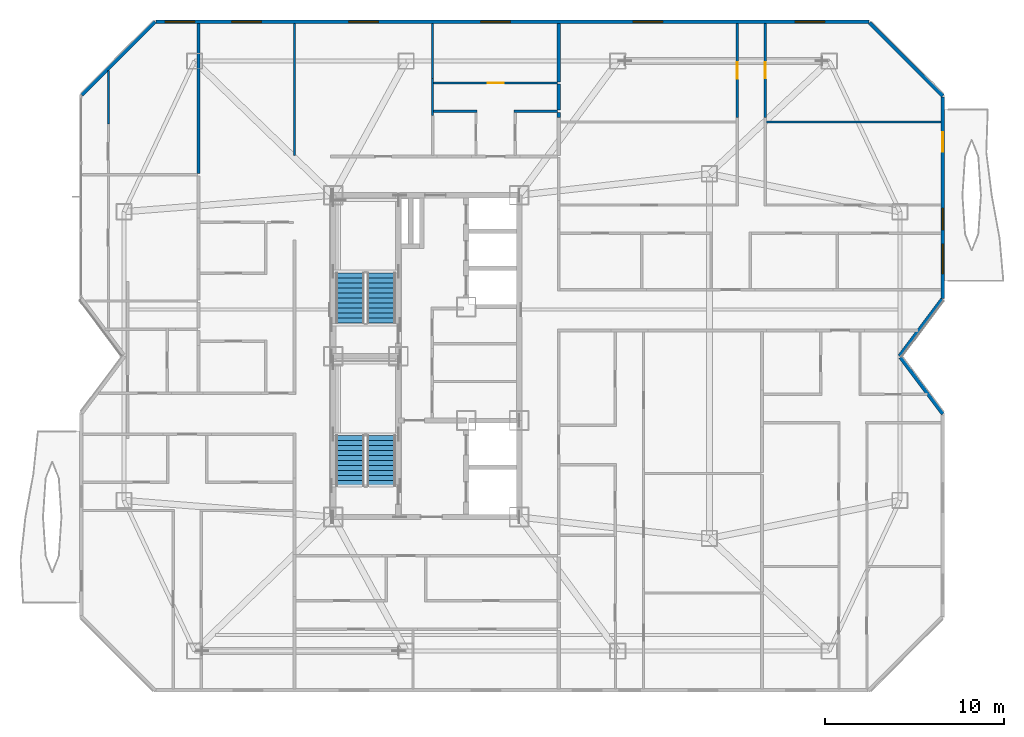
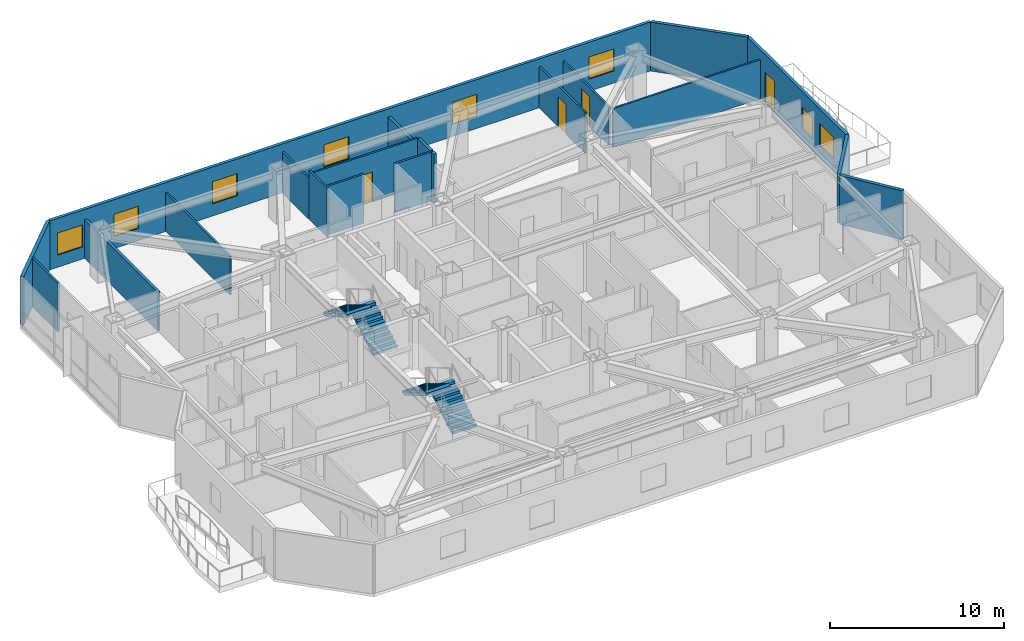
# One storey, part 16 of 18: 20 walls, 8 windows, 4 doors, 4 stair flights, 12 openings, 2 elements without a shape of their own.
"""IFC4 building model written with IfcOpenShell, lengths in metres."""

from ifc_helpers import new_model, si_unit, direction, frame, frame_2d, origin, place, context, subcontext, project, spatial, polyline, rectangle, outline, extrude, material, layer, layer_set, type_object, element, fill, aggregate, save


model = new_model("IFC4")

# Units and contexts
model_context = context("Model", 3, precision=1e-05, world=origin(), true_north=direction((0.0, 1.0)))
body_context = subcontext(model_context, "Body", "Model", "MODEL_VIEW")
ifc_project = project(units=[si_unit("LENGTHUNIT", "METRE"), si_unit("AREAUNIT", "SQUARE_METRE"), si_unit("VOLUMEUNIT", "CUBIC_METRE"), si_unit("PLANEANGLEUNIT", "RADIAN"), si_unit("MASSUNIT", "GRAM", prefix="KILO")], contexts=[model_context])

# Site, building, storey
site_placement = place(None, origin())
site = spatial("IfcSite", under=ifc_project, at=site_placement, CompositionType="ELEMENT")
building_placement = place(site_placement, origin())
building = spatial("IfcBuilding", under=site, at=building_placement, Name="Khamvora Tower", CompositionType="ELEMENT")
storey_placement = place(building_placement, frame((0.0, 0.0, 181.449951171875)))
storey = spatial("IfcBuildingStorey", under=building, at=storey_placement, Name="L46", CompositionType="ELEMENT", Elevation=181.449951171875)

# Walls
ifc_material_1 = material(Name="Acoustic Double-Stud Fire Wall", Category="gypsum")
ifc_layer_1 = layer(ifc_material_1, 0.179931640625)
ifc_layer_set_1 = layer_set([ifc_layer_1], Name="Acoustic Double-Stud Fire Wall")
wall_type_1 = type_object("IfcWallType", Name="WAL-CORR-180", PredefinedType="STANDARD", material=ifc_layer_set_1)
wall_1_placement = place(storey_placement, frame((21.47509765625, 46.60791015625, 0.0), z_axis=(0.0, 0.0, 1.0), x_axis=(0.0, -1.0, 0.0)))
element("IfcWall", 1, at=wall_1_placement, inside=storey, type_object=wall_type_1, Name="L46 interior partition wall 072", PredefinedType="STANDARD", context=body_context, shape_type="SweptSolid", body=[
    extrude(rectangle(XDim=8.39794921875, YDim=0.179931640625, at=frame_2d((4.198974609375, 0.0))), origin(), (0.0, 0.0, 1.0), 2.72509765625),
])
wall_2_placement = place(storey_placement, frame((41.614990234375, 43.2099609375, 0.0), z_axis=(0.0, 0.0, 1.0), x_axis=(0.0, -1.0, 0.0)))
element("IfcWall", 2, at=wall_2_placement, inside=storey, type_object=wall_type_1, Name="L46 interior partition wall 094", PredefinedType="STANDARD", context=body_context, shape_type="SweptSolid", body=[
    extrude(rectangle(XDim=1.449951171875, YDim=0.179931640625, at=frame_2d((0.72509765625, 0.0))), origin(), (0.0, 0.0, 1.0), 3.429931640625),
])
wall_3_placement = place(storey_placement, frame((41.614990234375, 41.6298828125, 0.0), z_axis=(0.0, 0.0, 1.0), x_axis=(0.0, -1.0, 0.0)))
element("IfcWall", 3, at=wall_3_placement, inside=storey, type_object=wall_type_1, Name="L46 interior partition wall 096", PredefinedType="STANDARD", context=body_context, shape_type="SweptSolid", body=[
    extrude(rectangle(XDim=0.282958984375, YDim=0.179931640625, at=frame_2d((0.1416015625, 0.0))), origin(), (0.0, 0.0, 1.0), 3.429931640625),
])
wall_4_placement = place(storey_placement, frame((41.614990234375, 46.60791015625, 0.0), z_axis=(0.0, 0.0, 1.0), x_axis=(0.0, -1.0, 0.0)))
element("IfcWall", 4, at=wall_4_placement, inside=storey, type_object=wall_type_1, Name="L46 interior partition wall 097", PredefinedType="STANDARD", context=body_context, shape_type="SweptSolid", body=[
    extrude(rectangle(XDim=3.267822265625, YDim=0.179931640625, at=frame_2d((1.6337890625, 0.0))), origin(), (0.0, 0.0, 1.0), 2.8759765625),
])
ifc_material_2 = material(Name="Precast concrete C40/50", Category="concrete")
ifc_layer_2 = layer(ifc_material_2, 0.199951171875)
ifc_layer_set_2 = layer_set([ifc_layer_2], Name="Precast concrete C40/50")
wall_type_2 = type_object("IfcWallType", Name="WAL-EXT-200", PredefinedType="STANDARD", material=ifc_layer_set_2)
wall_5_placement = place(storey_placement, frame((14.945068359375, 42.60400390625, 0.0), z_axis=(0.0, 0.0, 1.0), x_axis=(0.707106781187, 0.707106781187, 0.0)))
element("IfcWall", 5, at=wall_5_placement, inside=storey, type_object=wall_type_2, Name="L46 exterior facade wall 06.1", PredefinedType="STANDARD", context=body_context, shape_type="SweptSolid", body=[
    extrude(rectangle(XDim=5.79248046875, YDim=0.199951171875, at=frame_2d((2.896240234375, 0.0))), origin(), (0.0, 0.0, 1.0), 3.429931640625),
])

# Wall, openings, windows
wall_6_placement = place(storey_placement, frame((19.10205078125, 46.699951171875, 0.0), z_axis=(0.0, 0.0, 1.0), x_axis=(1.0, 0.0, 0.0)))
wall_6 = element("IfcWall", 6, at=wall_6_placement, inside=storey, type_object=wall_type_2, Name="L46 exterior facade wall 07.1", PredefinedType="STANDARD", context=body_context, shape_type="SweptSolid", body=[
    extrude(rectangle(XDim=39.85693359375, YDim=0.199951171875, at=frame_2d((19.928466796875, 0.0))), origin(), (0.0, 0.0, 1.0), 3.429931640625),
])
opening_1_placement = place(wall_6_placement, frame((10.77294921875, 0.0, 0.85009765625)))
opening_1 = element("IfcOpeningElement", 7, at=opening_1_placement, cuts=wall_6, Name="Opening WN-06", PredefinedType="OPENING", context=body_context, shape_type="SweptSolid", body=[
    extrude(rectangle(XDim=1.64990234375, YDim=1.550048828125, at=frame_2d((0.824951171875, 0.77490234375))), frame((0.0, 0.10986328125, 0.0), z_axis=(0.0, -1.0, 0.0), x_axis=(1.0, 0.0, 0.0)), (0.0, 0.0, 1.0), 0.219970703125),
])
opening_2_placement = place(wall_6_placement, frame((0.50390625, 0.0, 0.85009765625)))
opening_2 = element("IfcOpeningElement", 8, at=opening_2_placement, cuts=wall_6, Name="Opening WN-06", PredefinedType="OPENING", context=body_context, shape_type="SweptSolid", body=[
    extrude(rectangle(XDim=1.64990234375, YDim=1.550048828125, at=frame_2d((0.824951171875, 0.77490234375))), frame((0.0, 0.10986328125, 0.0), z_axis=(0.0, -1.0, 0.0), x_axis=(1.0, 0.0, 0.0)), (0.0, 0.0, 1.0), 0.219970703125),
])
opening_3_placement = place(wall_6_placement, frame((4.22802734375, 0.0, 0.85009765625)))
opening_3 = element("IfcOpeningElement", 9, at=opening_3_placement, cuts=wall_6, Name="Opening WN-06", PredefinedType="OPENING", context=body_context, shape_type="SweptSolid", body=[
    extrude(rectangle(XDim=1.64990234375, YDim=1.550048828125, at=frame_2d((0.824951171875, 0.77490234375))), frame((0.0, 0.10986328125, 0.0), z_axis=(0.0, -1.0, 0.0), x_axis=(1.0, 0.0, 0.0)), (0.0, 0.0, 1.0), 0.219970703125),
])
opening_4_placement = place(wall_6_placement, frame((18.1630859375, 0.0, 0.85009765625)))
opening_4 = element("IfcOpeningElement", 10, at=opening_4_placement, cuts=wall_6, Name="Opening WN-06", PredefinedType="OPENING", context=body_context, shape_type="SweptSolid", body=[
    extrude(rectangle(XDim=1.64990234375, YDim=1.550048828125, at=frame_2d((0.824951171875, 0.77490234375))), frame((0.0, 0.10986328125, 0.0), z_axis=(0.0, -1.0, 0.0), x_axis=(1.0, 0.0, 0.0)), (0.0, 0.0, 1.0), 0.219970703125),
])
opening_5_placement = place(wall_6_placement, frame((26.679931640625, 0.0, 0.85009765625)))
opening_5 = element("IfcOpeningElement", 11, at=opening_5_placement, cuts=wall_6, Name="Opening WN-06", PredefinedType="OPENING", context=body_context, shape_type="SweptSolid", body=[
    extrude(rectangle(XDim=1.64990234375, YDim=1.550048828125, at=frame_2d((0.824951171875, 0.77490234375))), frame((0.0, 0.10986328125, 0.0), z_axis=(0.0, -1.0, 0.0), x_axis=(1.0, 0.0, 0.0)), (0.0, 0.0, 1.0), 0.219970703125),
])
opening_6_placement = place(wall_6_placement, frame((35.7451171875, 0.0, 0.85009765625)))
opening_6 = element("IfcOpeningElement", 12, at=opening_6_placement, cuts=wall_6, Name="Opening WN-06", PredefinedType="OPENING", context=body_context, shape_type="SweptSolid", body=[
    extrude(rectangle(XDim=1.64990234375, YDim=1.550048828125, at=frame_2d((0.824951171875, 0.77490234375))), frame((0.0, 0.10986328125, 0.0), z_axis=(0.0, -1.0, 0.0), x_axis=(1.0, 0.0, 0.0)), (0.0, 0.0, 1.0), 0.219970703125),
])
ifc_material_3 = material(Name="Low-E Laminated Double Glazing", Category="glass")
window_type_1 = type_object("IfcWindowType", Name="WIN-VIS-1650x1550", PartitioningType="SINGLE_PANEL", PredefinedType="WINDOW", material=ifc_material_3)
window_1_placement = place(opening_1_placement, origin())
window_1 = element("IfcWindow", 13, at=window_1_placement, inside=storey, type_object=window_type_1, Name="L46 vision window 07.1.01", OverallHeight=1.550048828125, OverallWidth=1.64990234375, PartitioningType="SINGLE_PANEL", PredefinedType="WINDOW", context=body_context, shape_type="SweptSolid", body=[
    extrude(rectangle(XDim=1.64990234375, YDim=1.550048828125, at=frame_2d((0.824951171875, 0.77490234375))), frame((0.0, 0.030029296875, 0.0), z_axis=(0.0, -1.0, 0.0), x_axis=(1.0, 0.0, 0.0)), (0.0, 0.0, 1.0), 0.06005859375),
])
fill(opening_1, window_1)
window_2_placement = place(opening_2_placement, origin())
window_2 = element("IfcWindow", 14, at=window_2_placement, inside=storey, type_object=window_type_1, Name="L46 vision window 07.1.02", OverallHeight=1.550048828125, OverallWidth=1.64990234375, PartitioningType="SINGLE_PANEL", PredefinedType="WINDOW", context=body_context, shape_type="SweptSolid", body=[
    extrude(rectangle(XDim=1.64990234375, YDim=1.550048828125, at=frame_2d((0.824951171875, 0.77490234375))), frame((0.0, 0.030029296875, 0.0), z_axis=(0.0, -1.0, 0.0), x_axis=(1.0, 0.0, 0.0)), (0.0, 0.0, 1.0), 0.06005859375),
])
fill(opening_2, window_2)
window_3_placement = place(opening_3_placement, origin())
window_3 = element("IfcWindow", 15, at=window_3_placement, inside=storey, type_object=window_type_1, Name="L46 vision window 07.1.03", OverallHeight=1.550048828125, OverallWidth=1.64990234375, PartitioningType="SINGLE_PANEL", PredefinedType="WINDOW", context=body_context, shape_type="SweptSolid", body=[
    extrude(rectangle(XDim=1.64990234375, YDim=1.550048828125, at=frame_2d((0.824951171875, 0.77490234375))), frame((0.0, 0.030029296875, 0.0), z_axis=(0.0, -1.0, 0.0), x_axis=(1.0, 0.0, 0.0)), (0.0, 0.0, 1.0), 0.06005859375),
])
fill(opening_3, window_3)
window_4_placement = place(opening_4_placement, origin())
window_4 = element("IfcWindow", 16, at=window_4_placement, inside=storey, type_object=window_type_1, Name="L46 vision window 07.1.04", OverallHeight=1.550048828125, OverallWidth=1.64990234375, PartitioningType="SINGLE_PANEL", PredefinedType="WINDOW", context=body_context, shape_type="SweptSolid", body=[
    extrude(rectangle(XDim=1.64990234375, YDim=1.550048828125, at=frame_2d((0.824951171875, 0.77490234375))), frame((0.0, 0.030029296875, 0.0), z_axis=(0.0, -1.0, 0.0), x_axis=(1.0, 0.0, 0.0)), (0.0, 0.0, 1.0), 0.06005859375),
])
fill(opening_4, window_4)
window_5_placement = place(opening_5_placement, origin())
window_5 = element("IfcWindow", 17, at=window_5_placement, inside=storey, type_object=window_type_1, Name="L46 vision window 07.1.05", OverallHeight=1.550048828125, OverallWidth=1.64990234375, PartitioningType="SINGLE_PANEL", PredefinedType="WINDOW", context=body_context, shape_type="SweptSolid", body=[
    extrude(rectangle(XDim=1.64990234375, YDim=1.550048828125, at=frame_2d((0.824951171875, 0.77490234375))), frame((0.0, 0.030029296875, 0.0), z_axis=(0.0, -1.0, 0.0), x_axis=(1.0, 0.0, 0.0)), (0.0, 0.0, 1.0), 0.06005859375),
])
fill(opening_5, window_5)
window_6_placement = place(opening_6_placement, origin())
window_6 = element("IfcWindow", 18, at=window_6_placement, inside=storey, type_object=window_type_1, Name="L46 vision window 07.1.06", OverallHeight=1.550048828125, OverallWidth=1.64990234375, PartitioningType="SINGLE_PANEL", PredefinedType="WINDOW", context=body_context, shape_type="SweptSolid", body=[
    extrude(rectangle(XDim=1.64990234375, YDim=1.550048828125, at=frame_2d((0.824951171875, 0.77490234375))), frame((0.0, 0.030029296875, 0.0), z_axis=(0.0, -1.0, 0.0), x_axis=(1.0, 0.0, 0.0)), (0.0, 0.0, 1.0), 0.06005859375),
])
fill(opening_6, window_6)

# Wall
wall_7_placement = place(storey_placement, frame((59.0029296875, 46.656005859375, 0.0), z_axis=(0.0, 0.0, 1.0), x_axis=(0.707127848917, -0.707085712828, 0.0)))
element("IfcWall", 19, at=wall_7_placement, inside=storey, type_object=wall_type_2, Name="L46 exterior facade wall 08.1", PredefinedType="STANDARD", context=body_context, shape_type="SweptSolid", body=[
    extrude(rectangle(XDim=5.794189453125, YDim=0.199951171875, at=frame_2d((2.89697265625, 0.0))), origin(), (0.0, 0.0, 1.0), 3.429931640625),
])

# Wall, openings, door, windows
wall_8_placement = place(storey_placement, frame((63.10009765625, 42.49609375, 0.0), z_axis=(0.0, 0.0, 1.0), x_axis=(0.0, -1.0, 0.0)))
wall_8 = element("IfcWall", 20, at=wall_8_placement, inside=storey, type_object=wall_type_2, Name="L46 exterior facade wall 09.1", PredefinedType="STANDARD", context=body_context, shape_type="SweptSolid", body=[
    extrude(rectangle(XDim=11.26318359375, YDim=0.199951171875, at=frame_2d((5.631591796875, 0.0))), origin(), (0.0, 0.0, 1.0), 3.429931640625),
])
opening_7_placement = place(wall_8_placement, frame((1.968017578125, 0.0, 0.0)))
opening_7 = element("IfcOpeningElement", 21, at=opening_7_placement, cuts=wall_8, Name="Opening BD-01", PredefinedType="OPENING", context=body_context, shape_type="SweptSolid", body=[
    extrude(rectangle(XDim=1.10009765625, YDim=2.199951171875, at=frame_2d((0.550048828125, 1.10009765625))), frame((0.0, 0.10986328125, 0.0), z_axis=(0.0, -1.0, 0.0), x_axis=(1.0, 0.0, 0.0)), (0.0, 0.0, 1.0), 0.219970703125),
])
opening_8_placement = place(wall_8_placement, frame((8.22802734375, 0.0, 0.85009765625)))
opening_8 = element("IfcOpeningElement", 22, at=opening_8_placement, cuts=wall_8, Name="Opening WN-06", PredefinedType="OPENING", context=body_context, shape_type="SweptSolid", body=[
    extrude(rectangle(XDim=1.64990234375, YDim=1.550048828125, at=frame_2d((0.824951171875, 0.77490234375))), frame((0.0, 0.10986328125, 0.0), z_axis=(0.0, -1.0, 0.0), x_axis=(1.0, 0.0, 0.0)), (0.0, 0.0, 1.0), 0.219970703125),
])
opening_9_placement = place(wall_8_placement, frame((6.237060546875, 0.0, 0.800048828125)))
opening_9 = element("IfcOpeningElement", 23, at=opening_9_placement, cuts=wall_8, Name="Opening WN-03", PredefinedType="OPENING", context=body_context, shape_type="SweptSolid", body=[
    extrude(rectangle(XDim=1.199951171875, YDim=1.5, at=frame_2d((0.60009765625, 0.75))), frame((0.0, 0.10986328125, 0.0), z_axis=(0.0, -1.0, 0.0), x_axis=(1.0, 0.0, 0.0)), (0.0, 0.0, 1.0), 0.219970703125),
])
ifc_material_4 = material(Name="Anodised Aluminium and Laminated Safety Glass", Category="aluminium")
door_type_1 = type_object("IfcDoorType", Name="DOR-BAL-1100", OperationType="NOTDEFINED", PredefinedType="DOOR", material=ifc_material_4)
door_1_placement = place(opening_7_placement, origin())
door_1 = element("IfcDoor", 24, at=door_1_placement, inside=storey, type_object=door_type_1, Name="L46 lens gallery balcony door EL2", OperationType="SLIDING_TO_LEFT", OverallHeight=2.199951171875, OverallWidth=1.10009765625, PredefinedType="DOOR", context=body_context, shape_type="SweptSolid", body=[
    extrude(rectangle(XDim=1.10009765625, YDim=2.199951171875, at=frame_2d((0.550048828125, 1.10009765625))), frame((0.0, 0.02490234375, 0.0), z_axis=(0.0, -1.0, 0.0), x_axis=(1.0, 0.0, 0.0)), (0.0, 0.0, 1.0), 0.050048828125),
])
fill(opening_7, door_1)
window_type_2 = type_object("IfcWindowType", Name="WIN-VIS-1200x1500", PartitioningType="SINGLE_PANEL", PredefinedType="WINDOW", material=ifc_material_3)
window_7_placement = place(opening_9_placement, origin())
window_7 = element("IfcWindow", 25, at=window_7_placement, inside=storey, type_object=window_type_2, Name="L46 vision window 09.1.02", OverallHeight=1.5, OverallWidth=1.199951171875, PartitioningType="SINGLE_PANEL", PredefinedType="WINDOW", context=body_context, shape_type="SweptSolid", body=[
    extrude(rectangle(XDim=1.199951171875, YDim=1.5, at=frame_2d((0.60009765625, 0.75))), frame((0.0, 0.030029296875, 0.0), z_axis=(0.0, -1.0, 0.0), x_axis=(1.0, 0.0, 0.0)), (0.0, 0.0, 1.0), 0.06005859375),
])
fill(opening_9, window_7)
window_8_placement = place(opening_8_placement, origin())
window_8 = element("IfcWindow", 26, at=window_8_placement, inside=storey, type_object=window_type_1, Name="L46 vision window 09.1.01", OverallHeight=1.550048828125, OverallWidth=1.64990234375, PartitioningType="SINGLE_PANEL", PredefinedType="WINDOW", context=body_context, shape_type="SweptSolid", body=[
    extrude(rectangle(XDim=1.64990234375, YDim=1.550048828125, at=frame_2d((0.824951171875, 0.77490234375))), frame((0.0, 0.030029296875, 0.0), z_axis=(0.0, -1.0, 0.0), x_axis=(1.0, 0.0, 0.0)), (0.0, 0.0, 1.0), 0.06005859375),
])
fill(opening_8, window_8)

# Walls
wall_9_placement = place(storey_placement, frame((63.069091796875, 31.19091796875, 0.0), z_axis=(0.0, 0.0, 1.0), x_axis=(-0.600137081448, -0.799897170561, 0.0)))
element("IfcWall", 27, at=wall_9_placement, inside=storey, type_object=wall_type_2, Name="L46 exterior facade wall 10.1", PredefinedType="STANDARD", context=body_context, shape_type="SweptSolid", body=[
    extrude(rectangle(XDim=3.9892578125, YDim=0.199951171875, at=frame_2d((1.99462890625, 0.0))), origin(), (0.0, 0.0, 1.0), 3.429931640625),
])
wall_10_placement = place(storey_placement, frame((60.72705078125, 27.930908203125, 0.0), z_axis=(0.0, 0.0, 1.0), x_axis=(0.600029630681, -0.799977776132, 0.0)))
element("IfcWall", 28, at=wall_10_placement, inside=storey, type_object=wall_type_2, Name="L46 exterior facade wall 11.1", PredefinedType="STANDARD", context=body_context, shape_type="SweptSolid", body=[
    extrude(rectangle(XDim=3.954833984375, YDim=0.199951171875, at=frame_2d((1.9775390625, 0.0))), origin(), (0.0, 0.0, 1.0), 3.429931640625),
])
ifc_material_5 = material(Name="Gypsum Plasterboard Partition", Category="gypsum")
ifc_layer_3 = layer(ifc_material_5, 0.1201171875)
ifc_layer_set_3 = layer_set([ifc_layer_3], Name="Gypsum Plasterboard Partition")
wall_type_3 = type_object("IfcWallType", Name="WAL-PART-120", PredefinedType="PARTITIONING", material=ifc_layer_set_3)
wall_11_placement = place(storey_placement, frame((26.8349609375, 39.22998046875, 0.0), z_axis=(0.0, 0.0, 1.0), x_axis=(0.0, 1.0, 0.0)))
element("IfcWall", 29, at=wall_11_placement, inside=storey, type_object=wall_type_3, Name="L46 interior partition wall 043", PredefinedType="PARTITIONING", context=body_context, shape_type="SweptSolid", body=[
    extrude(rectangle(XDim=7.3779296875, YDim=0.1201171875, at=frame_2d((3.68896484375, 0.0))), origin(), (0.0, 0.0, 1.0), 2.72509765625),
])
wall_12_placement = place(storey_placement, frame((34.56494140625, 43.52392578125, 0.0), z_axis=(0.0, 0.0, 1.0), x_axis=(0.0, -1.0, 0.0)))
element("IfcWall", 30, at=wall_12_placement, inside=storey, type_object=wall_type_3, Name="L46 interior partition wall 044", PredefinedType="PARTITIONING", context=body_context, shape_type="SweptSolid", body=[
    extrude(rectangle(XDim=2.077880859375, YDim=0.1201171875, at=frame_2d((1.0390625, 0.0))), origin(), (0.0, 0.0, 1.0), 3.429931640625),
])
wall_13_placement = place(storey_placement, frame((34.56494140625, 46.60791015625, 0.0), z_axis=(0.0, 0.0, 1.0), x_axis=(0.0, -1.0, 0.0)))
element("IfcWall", 31, at=wall_13_placement, inside=storey, type_object=wall_type_3, Name="L46 interior partition wall 046", PredefinedType="PARTITIONING", context=body_context, shape_type="SweptSolid", body=[
    extrude(rectangle(XDim=3.083984375, YDim=0.1201171875, at=frame_2d((1.5419921875, 0.0))), origin(), (0.0, 0.0, 1.0), 2.8759765625),
])
wall_14_placement = place(storey_placement, frame((16.425048828125, 43.968994140625, 0.0), z_axis=(0.0, 0.0, 1.0), x_axis=(0.0, -1.0, 0.0)))
element("IfcWall", 32, at=wall_14_placement, inside=storey, type_object=wall_type_3, Name="L46 interior partition wall 064", PredefinedType="PARTITIONING", context=body_context, shape_type="SweptSolid", body=[
    extrude(rectangle(XDim=2.97509765625, YDim=0.1201171875, at=frame_2d((1.487548828125, 0.0))), origin(), (0.0, 0.0, 1.0), 3.429931640625),
])

# Wall, opening, door
wall_15_placement = place(storey_placement, frame((34.618896484375, 43.27490234375, 0.0), z_axis=(0.0, 0.0, 1.0), x_axis=(1.0, 0.0, 0.0)))
wall_15 = element("IfcWall", 33, at=wall_15_placement, inside=storey, type_object=wall_type_3, Name="L46 interior partition wall 093", PredefinedType="PARTITIONING", context=body_context, shape_type="SweptSolid", body=[
    extrude(rectangle(XDim=6.93115234375, YDim=0.1201171875, at=frame_2d((3.465576171875, 0.0))), origin(), (0.0, 0.0, 1.0), 3.429931640625),
])
opening_10_placement = place(wall_15_placement, frame((3.014892578125, 0.0, 0.0)))
opening_10 = element("IfcOpeningElement", 34, at=opening_10_placement, cuts=wall_15, Name="Opening D-RM1", PredefinedType="OPENING", context=body_context, shape_type="SweptSolid", body=[
    extrude(rectangle(XDim=0.89990234375, YDim=2.10009765625, at=frame_2d((0.449951171875, 1.050048828125))), frame((0.0, 0.070068359375, 0.0), z_axis=(0.0, -1.0, 0.0), x_axis=(1.0, 0.0, 0.0)), (0.0, 0.0, 1.0), 0.14013671875),
])
ifc_material_6 = material(Name="Powder-Coated Steel and Hardwood Leaf", Category="steel")
door_type_2 = type_object("IfcDoorType", Name="DOR-ROOM-900", OperationType="NOTDEFINED", PredefinedType="DOOR", material=ifc_material_6)
door_2_placement = place(opening_10_placement, origin())
door_2 = element("IfcDoor", 35, at=door_2_placement, inside=storey, type_object=door_type_2, Name="L46 interior door 46NAH-46NAS", OperationType="SINGLE_SWING_LEFT", OverallHeight=2.10009765625, OverallWidth=0.89990234375, PredefinedType="DOOR", context=body_context, shape_type="SweptSolid", body=[
    extrude(rectangle(XDim=0.89990234375, YDim=2.10009765625, at=frame_2d((0.449951171875, 1.050048828125))), frame((0.0, 0.02490234375, 0.0), z_axis=(0.0, -1.0, 0.0), x_axis=(1.0, 0.0, 0.0)), (0.0, 0.0, 1.0), 0.050048828125),
])
fill(opening_10, door_2)

wall_16_placement = place(storey_placement, frame((51.60009765625, 41.346923828125, 0.0), z_axis=(0.0, 0.0, 1.0), x_axis=(0.0, 1.0, 0.0)))
wall_16 = element("IfcWall", 36, at=wall_16_placement, inside=storey, type_object=wall_type_3, Name="L46 interior partition wall 137", PredefinedType="PARTITIONING", context=body_context, shape_type="SweptSolid", body=[
    extrude(rectangle(XDim=5.260986328125, YDim=0.1201171875, at=frame_2d((2.63037109375, 0.0))), origin(), (0.0, 0.0, 1.0), 2.8759765625),
])
opening_11_placement = place(wall_16_placement, frame((2.179931640625, 0.0, 0.0)))
opening_11 = element("IfcOpeningElement", 37, at=opening_11_placement, cuts=wall_16, Name="Opening D-RM1", PredefinedType="OPENING", context=body_context, shape_type="SweptSolid", body=[
    extrude(rectangle(XDim=0.89990234375, YDim=2.10009765625, at=frame_2d((0.449951171875, 1.050048828125))), frame((0.0, 0.070068359375, 0.0), z_axis=(0.0, -1.0, 0.0), x_axis=(1.0, 0.0, 0.0)), (0.0, 0.0, 1.0), 0.14013671875),
])
door_3_placement = place(opening_11_placement, origin())
door_3 = element("IfcDoor", 38, at=door_3_placement, inside=storey, type_object=door_type_2, Name="L46 interior door 46ECH-46ECR2", OperationType="SINGLE_SWING_LEFT", OverallHeight=2.10009765625, OverallWidth=0.89990234375, PredefinedType="DOOR", context=body_context, shape_type="SweptSolid", body=[
    extrude(rectangle(XDim=0.89990234375, YDim=2.10009765625, at=frame_2d((0.449951171875, 1.050048828125))), frame((0.0, 0.02490234375, 0.0), z_axis=(0.0, -1.0, 0.0), x_axis=(1.0, 0.0, 0.0)), (0.0, 0.0, 1.0), 0.050048828125),
])
fill(opening_11, door_3)

wall_17_placement = place(storey_placement, frame((53.169921875, 46.60791015625, 0.0), z_axis=(0.0, 0.0, 1.0), x_axis=(0.0, -1.0, 0.0)))
wall_17 = element("IfcWall", 39, at=wall_17_placement, inside=storey, type_object=wall_type_3, Name="L46 interior partition wall 140", PredefinedType="PARTITIONING", context=body_context, shape_type="SweptSolid", body=[
    extrude(rectangle(XDim=5.260986328125, YDim=0.1201171875, at=frame_2d((2.63037109375, 0.0))), origin(), (0.0, 0.0, 1.0), 2.72509765625),
])
opening_12_placement = place(wall_17_placement, frame((2.179931640625, 0.0, 0.0)))
opening_12 = element("IfcOpeningElement", 40, at=opening_12_placement, cuts=wall_17, Name="Opening D-RM1", PredefinedType="OPENING", context=body_context, shape_type="SweptSolid", body=[
    extrude(rectangle(XDim=0.89990234375, YDim=2.10009765625, at=frame_2d((0.449951171875, 1.050048828125))), frame((0.0, 0.070068359375, 0.0), z_axis=(0.0, -1.0, 0.0), x_axis=(1.0, 0.0, 0.0)), (0.0, 0.0, 1.0), 0.14013671875),
])
door_4_placement = place(opening_12_placement, origin())
door_4 = element("IfcDoor", 41, at=door_4_placement, inside=storey, type_object=door_type_2, Name="L46 interior door 46ECH-46ECR4", OperationType="SINGLE_SWING_LEFT", OverallHeight=2.10009765625, OverallWidth=0.89990234375, PredefinedType="DOOR", context=body_context, shape_type="SweptSolid", body=[
    extrude(rectangle(XDim=0.89990234375, YDim=2.10009765625, at=frame_2d((0.449951171875, 1.050048828125))), frame((0.0, 0.02490234375, 0.0), z_axis=(0.0, -1.0, 0.0), x_axis=(1.0, 0.0, 0.0)), (0.0, 0.0, 1.0), 0.050048828125),
])
fill(opening_12, door_4)

# Walls
wall_18_placement = place(storey_placement, frame((53.22412109375, 41.097900390625, 0.0), z_axis=(0.0, 0.0, 1.0), x_axis=(1.0, 0.0, 0.0)))
element("IfcWall", 42, at=wall_18_placement, inside=storey, type_object=wall_type_3, Name="L46 interior partition wall 142", PredefinedType="PARTITIONING", context=body_context, shape_type="SweptSolid", body=[
    extrude(rectangle(XDim=9.783935546875, YDim=0.1201171875, at=frame_2d((4.89208984375, 0.0))), origin(), (0.0, 0.0, 1.0), 2.72509765625),
])
ifc_material_7 = material(Name="Moisture-Resistant Plasterboard Partition", Category="gypsum")
ifc_layer_4 = layer(ifc_material_7, 0.135009765625)
ifc_layer_set_4 = layer_set([ifc_layer_4], Name="Moisture-Resistant Plasterboard Partition")
wall_type_4 = type_object("IfcWallType", Name="WAL-WET-135", PredefinedType="PARTITIONING", material=ifc_layer_set_4)
wall_19_placement = place(storey_placement, frame((41.550048828125, 41.695068359375, 0.0), z_axis=(0.0, 0.0, 1.0), x_axis=(-1.0, 0.0, 0.0)))
element("IfcWall", 43, at=wall_19_placement, inside=storey, type_object=wall_type_4, Name="L46 interior partition wall 089", PredefinedType="PARTITIONING", context=body_context, shape_type="SweptSolid", body=[
    extrude(rectangle(XDim=2.425048828125, YDim=0.135009765625, at=frame_2d((1.21240234375, 0.0))), origin(), (0.0, 0.0, 1.0), 3.429931640625),
])
wall_20_placement = place(storey_placement, frame((37.054931640625, 41.695068359375, 0.0), z_axis=(0.0, 0.0, 1.0), x_axis=(-1.0, 0.0, 0.0)))
element("IfcWall", 44, at=wall_20_placement, inside=storey, type_object=wall_type_4, Name="L46 interior partition wall 092", PredefinedType="PARTITIONING", context=body_context, shape_type="SweptSolid", body=[
    extrude(rectangle(XDim=2.43603515625, YDim=0.135009765625, at=frame_2d((1.218017578125, 0.0))), origin(), (0.0, 0.0, 1.0), 3.429931640625),
])

# Stair, stair flights
ifc_material_8 = material(Name="Concrete C40/50", Category="concrete")
stair_type_1 = type_object("IfcStairType", Name="STR-ST-01", PredefinedType="HALF_TURN_STAIR", material=ifc_material_8)
stair_1_placement = place(storey_placement, origin())
stair_1 = element("IfcStair", 45, at=stair_1_placement, inside=storey, type_object=stair_type_1, Name="L46 South Tower Exit Stair ST-01", PredefinedType="HALF_TURN_STAIR")
stair_flight_type_1 = type_object("IfcStairFlightType", Name="STF-ST-01", PredefinedType="STRAIGHT", material=ifc_material_8)
stair_flight_1_placement = place(storey_placement, frame((31.699951171875, 20.75, 0.0), z_axis=(0.0, 0.0, 1.0), x_axis=(0.0, 1.0, 0.0)))
stair_flight_1 = element("IfcStairFlight", 46, at=stair_flight_1_placement, type_object=stair_flight_type_1, Name="ST-01 flight 1", NumberOfRisers=11, NumberOfTreads=10, PredefinedType="STRAIGHT", RiserHeight=0.165909091, TreadLength=0.28, context=body_context, shape_type="SweptSolid", body=[
    extrude(outline(polyline([(0.0, 0.0), (0.0, 0.166015625), (0.280029296875, 0.166015625), (0.280029296875, 0.331787109375), (0.56005859375, 0.331787109375), (0.56005859375, 0.497802734375), (0.840087890625, 0.497802734375), (0.840087890625, 0.66357421875), (1.1201171875, 0.66357421875), (1.1201171875, 0.82958984375), (1.39990234375, 0.82958984375), (1.39990234375, 0.995361328125), (1.679931640625, 0.995361328125), (1.679931640625, 1.161376953125), (1.9599609375, 1.161376953125), (1.9599609375, 1.327392578125), (2.239990234375, 1.327392578125), (2.239990234375, 1.4931640625), (2.52001953125, 1.4931640625), (2.52001953125, 1.6591796875), (2.800048828125, 1.6591796875), (2.800048828125, 1.824951171875), (2.800048828125, 1.48486328125), (0.2939453125, 0.0), (0.0, 0.0)])), frame((0.0, 0.800048828125, 0.0), z_axis=(0.0, -1.0, 0.0), x_axis=(1.0, 0.0, 0.0)), (0.0, 0.0, 1.0), 1.60009765625),
])
stair_flight_2_placement = place(storey_placement, frame((29.949951171875, 23.550048828125, 1.824951171875), z_axis=(0.0, 0.0, 1.0), x_axis=(0.0, -1.0, 0.0)))
stair_flight_2 = element("IfcStairFlight", 47, at=stair_flight_2_placement, type_object=stair_flight_type_1, Name="ST-01 flight 2", NumberOfRisers=11, NumberOfTreads=10, PredefinedType="STRAIGHT", RiserHeight=0.165909091, TreadLength=0.28, context=body_context, shape_type="SweptSolid", body=[
    extrude(outline(polyline([(0.0, 0.0), (0.0, 0.166015625), (0.280029296875, 0.166015625), (0.280029296875, 0.331787109375), (0.56005859375, 0.331787109375), (0.56005859375, 0.497802734375), (0.840087890625, 0.497802734375), (0.840087890625, 0.66357421875), (1.1201171875, 0.66357421875), (1.1201171875, 0.82958984375), (1.39990234375, 0.82958984375), (1.39990234375, 0.995361328125), (1.679931640625, 0.995361328125), (1.679931640625, 1.161376953125), (1.9599609375, 1.161376953125), (1.9599609375, 1.327392578125), (2.239990234375, 1.327392578125), (2.239990234375, 1.4931640625), (2.52001953125, 1.4931640625), (2.52001953125, 1.6591796875), (2.800048828125, 1.6591796875), (2.800048828125, 1.824951171875), (2.800048828125, 1.48486328125), (0.2939453125, 0.0), (0.0, 0.0)])), frame((0.0, 0.800048828125, 0.0), z_axis=(0.0, -1.0, 0.0), x_axis=(1.0, 0.0, 0.0)), (0.0, 0.0, 1.0), 1.60009765625),
])
aggregate(stair_1, [stair_flight_1, stair_flight_2])

stair_type_2 = type_object("IfcStairType", Name="STR-ST-02", PredefinedType="HALF_TURN_STAIR", material=ifc_material_8)
stair_2_placement = place(storey_placement, origin())
stair_2 = element("IfcStair", 48, at=stair_2_placement, inside=storey, type_object=stair_type_2, Name="L46 North Tower Exit Stair ST-02", PredefinedType="HALF_TURN_STAIR")
stair_flight_type_2 = type_object("IfcStairFlightType", Name="STF-ST-02", PredefinedType="STRAIGHT", material=ifc_material_8)
stair_flight_3_placement = place(storey_placement, frame((31.699951171875, 29.85009765625, 0.0), z_axis=(0.0, 0.0, 1.0), x_axis=(0.0, 1.0, 0.0)))
stair_flight_3 = element("IfcStairFlight", 49, at=stair_flight_3_placement, type_object=stair_flight_type_2, Name="ST-02 flight 1", NumberOfRisers=11, NumberOfTreads=10, PredefinedType="STRAIGHT", RiserHeight=0.165909091, TreadLength=0.28, context=body_context, shape_type="SweptSolid", body=[
    extrude(outline(polyline([(0.0, 0.0), (0.0, 0.166015625), (0.280029296875, 0.166015625), (0.280029296875, 0.331787109375), (0.56005859375, 0.331787109375), (0.56005859375, 0.497802734375), (0.840087890625, 0.497802734375), (0.840087890625, 0.66357421875), (1.1201171875, 0.66357421875), (1.1201171875, 0.82958984375), (1.39990234375, 0.82958984375), (1.39990234375, 0.995361328125), (1.679931640625, 0.995361328125), (1.679931640625, 1.161376953125), (1.9599609375, 1.161376953125), (1.9599609375, 1.327392578125), (2.239990234375, 1.327392578125), (2.239990234375, 1.4931640625), (2.52001953125, 1.4931640625), (2.52001953125, 1.6591796875), (2.800048828125, 1.6591796875), (2.800048828125, 1.824951171875), (2.800048828125, 1.48486328125), (0.2939453125, 0.0), (0.0, 0.0)])), frame((0.0, 0.800048828125, 0.0), z_axis=(0.0, -1.0, 0.0), x_axis=(1.0, 0.0, 0.0)), (0.0, 0.0, 1.0), 1.60009765625),
])
stair_flight_4_placement = place(storey_placement, frame((29.949951171875, 32.64990234375, 1.824951171875), z_axis=(0.0, 0.0, 1.0), x_axis=(0.0, -1.0, 0.0)))
stair_flight_4 = element("IfcStairFlight", 50, at=stair_flight_4_placement, type_object=stair_flight_type_2, Name="ST-02 flight 2", NumberOfRisers=11, NumberOfTreads=10, PredefinedType="STRAIGHT", RiserHeight=0.165909091, TreadLength=0.28, context=body_context, shape_type="SweptSolid", body=[
    extrude(outline(polyline([(0.0, 0.0), (0.0, 0.166015625), (0.280029296875, 0.166015625), (0.280029296875, 0.331787109375), (0.56005859375, 0.331787109375), (0.56005859375, 0.497802734375), (0.840087890625, 0.497802734375), (0.840087890625, 0.66357421875), (1.1201171875, 0.66357421875), (1.1201171875, 0.82958984375), (1.39990234375, 0.82958984375), (1.39990234375, 0.995361328125), (1.679931640625, 0.995361328125), (1.679931640625, 1.161376953125), (1.9599609375, 1.161376953125), (1.9599609375, 1.327392578125), (2.239990234375, 1.327392578125), (2.239990234375, 1.4931640625), (2.52001953125, 1.4931640625), (2.52001953125, 1.6591796875), (2.800048828125, 1.6591796875), (2.800048828125, 1.824951171875), (2.800048828125, 1.48486328125), (0.2939453125, 0.0), (0.0, 0.0)])), frame((0.0, 0.800048828125, 0.0), z_axis=(0.0, -1.0, 0.0), x_axis=(1.0, 0.0, 0.0)), (0.0, 0.0, 1.0), 1.60009765625),
])
aggregate(stair_2, [stair_flight_3, stair_flight_4])

save(model, "model.ifc")
